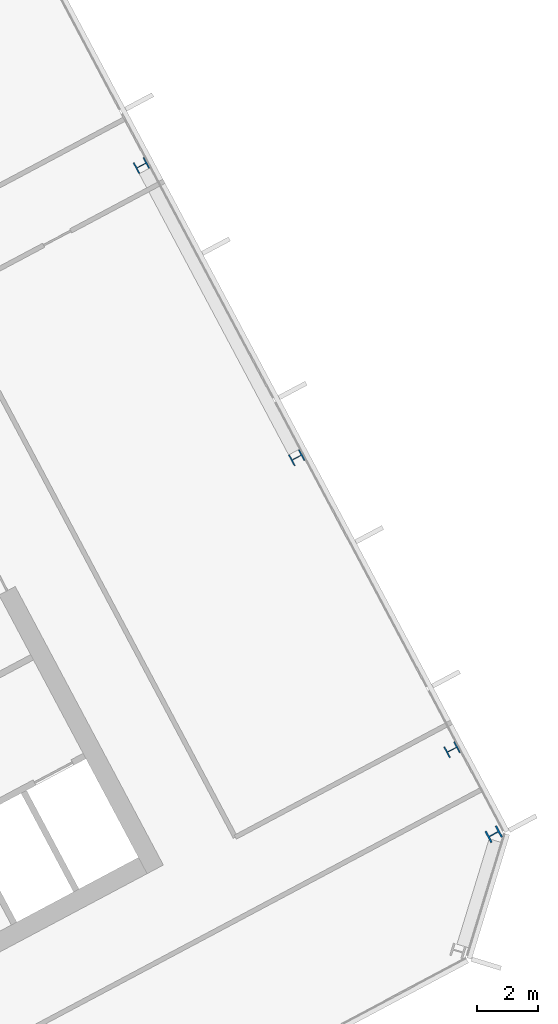
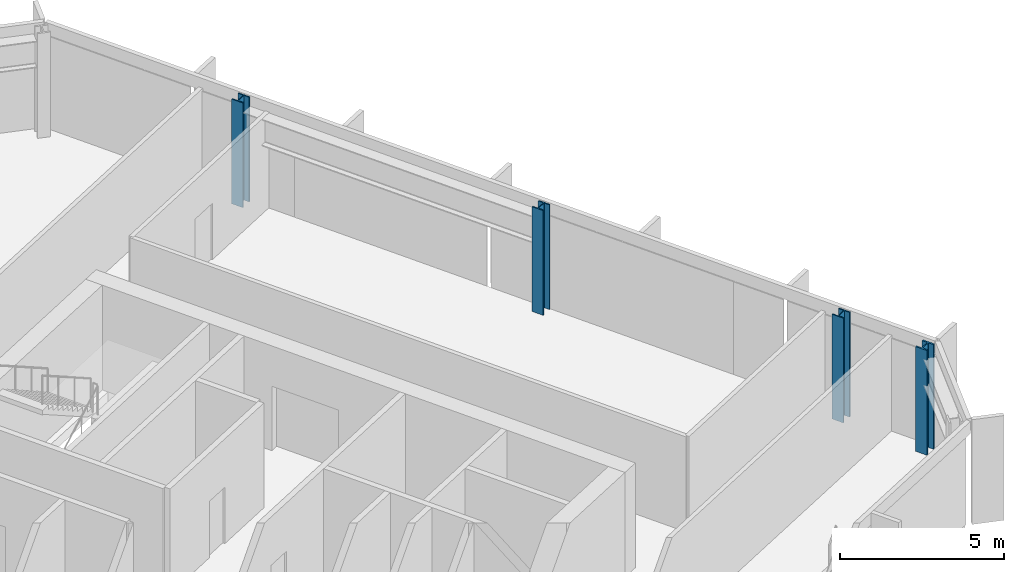
# One storey, part 7 of 26: 4 columns.
"""IFC4 building model written with IfcOpenShell, lengths in metres."""

from ifc_helpers import new_model, si_unit, direction, frame, origin, origin_2d, place, context, subcontext, project, spatial, i_section, extrude, material, material_profile, profile_set, type_object, element, save


model = new_model("IFC4")

# Units and contexts
model_context = context("Model", 3, precision=1e-05, world=origin(), true_north=direction((0.0, 1.0)))
body_context = subcontext(model_context, "Body", "Model", "MODEL_VIEW")
ifc_project = project(units=[si_unit("LENGTHUNIT", "METRE"), si_unit("AREAUNIT", "SQUARE_METRE"), si_unit("VOLUMEUNIT", "CUBIC_METRE"), si_unit("PLANEANGLEUNIT", "RADIAN"), si_unit("MASSUNIT", "GRAM", prefix="KILO")], contexts=[model_context])

# Site, building, storey
site_placement = place(None, origin())
site = spatial("IfcSite", under=ifc_project, at=site_placement, CompositionType="ELEMENT")
building_placement = place(site_placement, origin())
building = spatial("IfcBuilding", under=site, at=building_placement, Name="Cormorant Relay Tower", CompositionType="ELEMENT")
storey_placement = place(building_placement, frame((0.0, 0.0, 205.199951171875)))
storey = spatial("IfcBuildingStorey", under=building, at=storey_placement, Name="L44", CompositionType="ELEMENT", Elevation=205.199951171875)

# Columns
ifc_material_1 = material(Name="Steel ASTM A992 (Fy 345 MPa)", Category="steel")
ifc_material_profile_1 = material_profile(ifc_material_1, i_section(OverallWidth=0.40380859375, OverallDepth=0.406494140625, WebThickness=0.027099609375, FlangeThickness=0.043701171875, FilletRadius=0.01513671875, at=origin_2d()), Name="W360x347")
ifc_profile_set_1 = profile_set([ifc_material_profile_1], Name="Steel ASTM A992 (Fy 345 MPa)")
column_type_1 = type_object("IfcColumnType", Name="Column W360x347", PredefinedType="COLUMN", material=ifc_profile_set_1)
for number, where, z_axis, x_axis, name in (
    (1, (47.26611328125, 12.89990234375, 0.0), (0.0, 0.0, 1.0), (-0.469471562786, 0.882947592859, 0.0), "Column L44-026"),
    (2, (42.196044921875, 22.43603515625, 0.0), (0.0, 0.0, 1.0), (-0.469471562786, 0.882947592859, 0.0), "Column L44-029"),
    (3, (37.1259765625, 31.971923828125, 0.0), (0.0, 0.0, 1.0), (-0.469471562786, 0.882947592859, 0.0), "Column L44-036"),
):
    element("IfcColumn", number, at=place(storey_placement, frame(where, z_axis=z_axis, x_axis=x_axis)), inside=storey, type_object=column_type_1, Name=name, PredefinedType="COLUMN", context=body_context, shape_type="SweptSolid", body=[
        extrude(i_section(OverallWidth=0.40380859375, OverallDepth=0.406494140625, WebThickness=0.027099609375, FlangeThickness=0.043701171875, FilletRadius=0.01513671875, at=origin_2d()), origin(), (0.0, 0.0, 1.0), 3.900146484375),
    ])
ifc_material_2 = material(Name="Steel ASTM A992 (Fy 345 MPa)", Category="steel")
ifc_material_profile_2 = material_profile(ifc_material_2, i_section(OverallWidth=0.41162109375, OverallDepth=0.434326171875, WebThickness=0.035888671875, FlangeThickness=0.057373046875, FilletRadius=0.01513671875, at=origin_2d()), Name="W360x463")
ifc_profile_set_2 = profile_set([ifc_material_profile_2], Name="Steel ASTM A992 (Fy 345 MPa)")
column_type_2 = type_object("IfcColumnType", Name="Column W360x463", PredefinedType="COLUMN", material=ifc_profile_set_2)
column_placement = place(storey_placement, frame((48.6259765625, 10.14208984375, 0.0), z_axis=(0.0, 0.0, 1.0), x_axis=(-0.469471562786, 0.882947592859, 0.0)))
element("IfcColumn", 4, at=column_placement, inside=storey, type_object=column_type_2, Name="Column L44-021", PredefinedType="COLUMN", context=body_context, shape_type="SweptSolid", body=[
    extrude(i_section(OverallWidth=0.41162109375, OverallDepth=0.434326171875, WebThickness=0.035888671875, FlangeThickness=0.057373046875, FilletRadius=0.01513671875, at=origin_2d()), origin(), (0.0, 0.0, 1.0), 3.900146484375),
])

save(model, "model.ifc")
